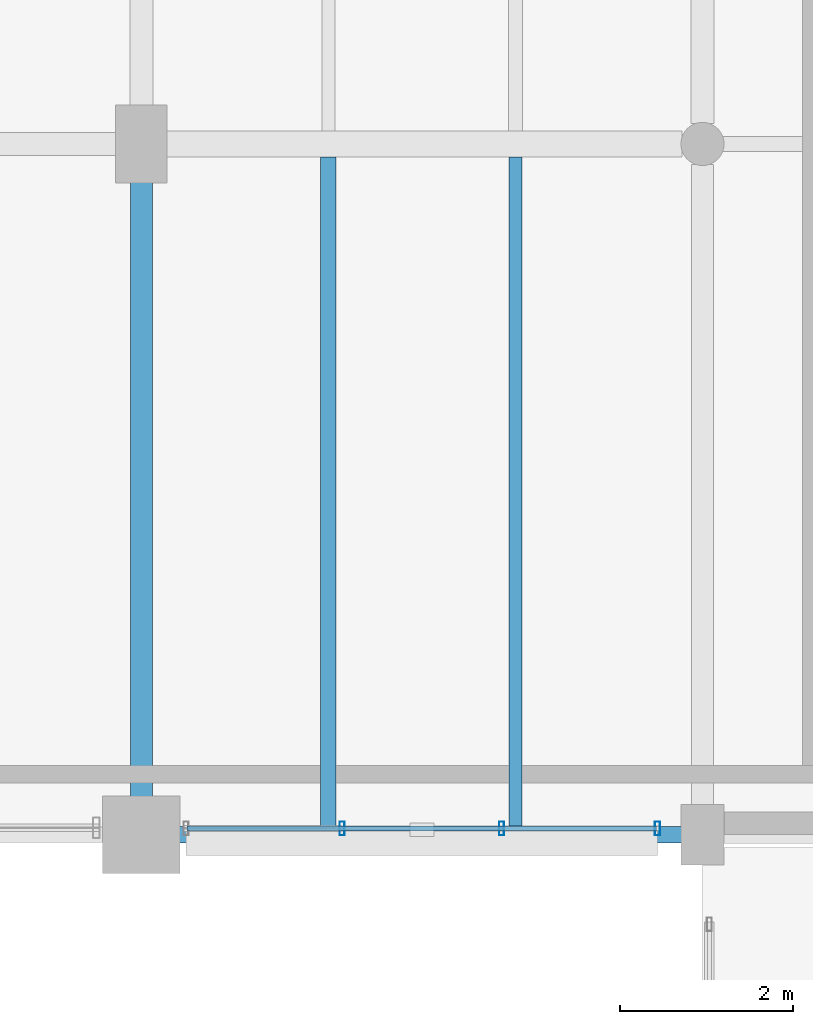
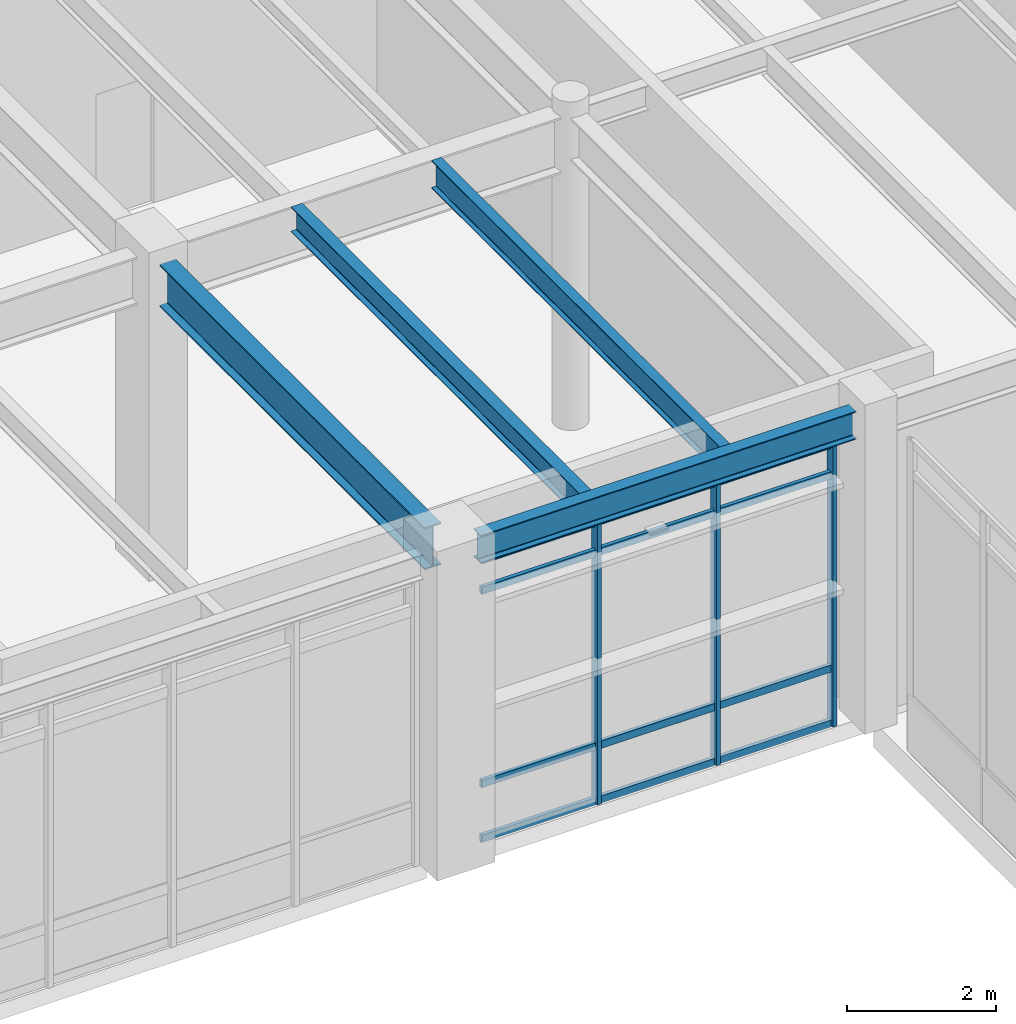
# One storey, part 67 of 203: 7 members, 4 beams, 1 element without a shape of its own.
"""IFC4 building model written with IfcOpenShell, lengths in metres."""

import ifcopenshell
import ifcopenshell.guid

model = None  # the IFC model being written
_history = None  # IfcOwnerHistory: only IFC2X3 demands one
_inside = {}  # id of a spatial element -> (the spatial element, [elements in it])
_under = {}  # id of a project, library or spatial element -> (it, [spatial elements below it])
_declared = {}  # id of a project -> (the project, [libraries it declares])
_typed = {}  # id of a type object -> (the type object, [elements of that type])
_made_of = {}  # id of a material, layer set ... -> (it, [elements and type objects made of it])


def new_model(schema):
    """Start an empty IFC model of exactly this schema.

    Asked for "IFC4X3", IfcOpenShell would pick the latest addendum, in which some entities
    have other attributes; the version numbers below select the first issue.
    IFC2X3 requires an IfcOwnerHistory on every rooted entity: one is made here for all.
    """
    global model, _history
    if schema == "IFC4X3":
        model = ifcopenshell.file(schema_version=(4, 3, 0, 0))
    else:
        model = ifcopenshell.file(schema=schema)
    _inside.clear()
    _under.clear()
    _declared.clear()
    _typed.clear()
    _made_of.clear()
    _history = None
    if model.schema == "IFC2X3":
        org = make("IfcOrganization", Name="unknown")
        user = make(
            "IfcPersonAndOrganization",
            ThePerson=make("IfcPerson", FamilyName="unknown"),
            TheOrganization=org,
        )
        app = make(
            "IfcApplication",
            ApplicationDeveloper=org,
            Version="unknown",
            ApplicationFullName="unknown",
            ApplicationIdentifier="unknown",
        )
        _history = make(
            "IfcOwnerHistory",
            OwningUser=user,
            OwningApplication=app,
            ChangeAction="ADDED",
            CreationDate=0,
        )
    return model


def make(cls, **values):
    """One entity of the class cls with the attributes given. An attribute that is None is left unset."""
    return model.create_entity(
        cls, **{name: value for name, value in values.items() if value is not None}
    )


def rooted(cls, **values):
    """An entity with a GlobalId (a new one), such as an element, a storey or a relation."""
    return make(cls, GlobalId=ifcopenshell.guid.new(), OwnerHistory=_history, **values)


def si_unit(unit_type, name, prefix=None):
    """IfcSIUnit, for example si_unit("LENGTHUNIT", "METRE", prefix="MILLI")."""
    return make("IfcSIUnit", UnitType=unit_type, Prefix=prefix, Name=name)


def assignment(units):
    """IfcUnitAssignment: the units of a project."""
    return None if units is None else make("IfcUnitAssignment", Units=units)


def point(xyz):
    """IfcCartesianPoint."""
    return None if xyz is None else make("IfcCartesianPoint", Coordinates=xyz)


def direction(xyz):
    """IfcDirection."""
    return None if xyz is None else make("IfcDirection", DirectionRatios=xyz)


def frame(location, z_axis=None, x_axis=None):
    """IfcAxis2Placement3D, a coordinate frame: its origin and axes. An axis left out is left unset."""
    return make(
        "IfcAxis2Placement3D",
        Location=point(location),
        Axis=direction(z_axis),
        RefDirection=direction(x_axis),
    )


def frame_2d(location, x_axis=None):
    """IfcAxis2Placement2D, a coordinate frame in the plane: its origin and x axis."""
    return make(
        "IfcAxis2Placement2D", Location=point(location), RefDirection=direction(x_axis)
    )


def origin():
    """The frame at (0, 0, 0) with its axes left unset."""
    return frame((0.0, 0.0, 0.0))


def origin_2d():
    """The frame at (0, 0) in the plane with its x axis left unset."""
    return frame_2d((0.0, 0.0))


def place(relative_to, where):
    """IfcLocalPlacement: puts the frame where relative to a parent placement (None: the world)."""
    return make(
        "IfcLocalPlacement", PlacementRelTo=relative_to, RelativePlacement=where
    )


def context(
    kind, dimensions, precision=None, world=None, true_north=None, identifier=None
):
    """IfcGeometricRepresentationContext, for example the 3D "Model" context."""
    return make(
        "IfcGeometricRepresentationContext",
        ContextIdentifier=identifier,
        ContextType=kind,
        CoordinateSpaceDimension=dimensions,
        Precision=precision,
        WorldCoordinateSystem=world,
        TrueNorth=true_north,
    )


def subcontext(parent, identifier, kind, view, scale=None):
    """IfcGeometricRepresentationSubContext, for example "Body" below "Model"."""
    return make(
        "IfcGeometricRepresentationSubContext",
        ContextIdentifier=identifier,
        ContextType=kind,
        ParentContext=parent,
        TargetScale=scale,
        TargetView=view,
    )


def project(units=None, contexts=None):
    """IfcProject with its units and contexts."""
    return rooted(
        "IfcProject",
        Name="project",
        RepresentationContexts=contexts,
        UnitsInContext=assignment(units),
    )


def spatial(cls, under=None, at=None, **own):
    """A site, building, storey or space (cls), placed at a placement, below another one or the project."""
    s = rooted(cls, ObjectPlacement=at, **own)
    if under is not None:
        _under.setdefault(under.id(), (under, []))[1].append(s)
    return s


def profile(cls, at=None, kind="AREA", **sizes):
    """A parametric profile (cls). Its sizes go by their IFC names, for example OverallWidth=200.0."""
    return make(cls, ProfileType=kind, Position=at, **sizes)


def hollow_rectangle(**sizes):
    """IfcRectangleHollowProfileDef."""
    return profile("IfcRectangleHollowProfileDef", **sizes)


def i_section(**sizes):
    """IfcIShapeProfileDef."""
    return profile("IfcIShapeProfileDef", **sizes)


def extrude(swept, where, along, depth):
    """IfcExtrudedAreaSolid: the profile swept, set in the frame where, extruded along a direction by depth."""
    return make(
        "IfcExtrudedAreaSolid",
        SweptArea=swept,
        Position=where,
        ExtrudedDirection=direction(along),
        Depth=depth,
    )


def shape(context_of_items, identifier, shape_type, items):
    """IfcShapeRepresentation: the items that make up one representation, for example the "Body"."""
    return make(
        "IfcShapeRepresentation",
        ContextOfItems=context_of_items,
        RepresentationIdentifier=identifier,
        RepresentationType=shape_type,
        Items=items,
    )


def material(Name=None, Category=None):
    """IfcMaterial."""
    return make("IfcMaterial", Name=Name, Category=Category)


def material_profile(
    of_material, cross_section, Name=None, Category=None, Priority=None
):
    """IfcMaterialProfile: a cross section and its material."""
    return make(
        "IfcMaterialProfile",
        Name=Name,
        Material=of_material,
        Profile=cross_section,
        Priority=Priority,
        Category=Category,
    )


def profile_set(profiles, Name=None, composite=None):
    """IfcMaterialProfileSet."""
    return make(
        "IfcMaterialProfileSet",
        Name=Name,
        MaterialProfiles=profiles,
        CompositeProfile=composite,
    )


def made_of(thing, what):
    """Note that an element or type object is made of a material, layer set ...; save() writes the relation."""
    if what is not None:
        _made_of.setdefault(what.id(), (what, []))[1].append(thing)
    return thing


def type_object(cls, material=None, **own):
    """A type object (cls), such as IfcWallType, which elements share."""
    return made_of(rooted(cls, **own), material)


def element(
    cls,
    number,
    at=None,
    inside=None,
    cuts=None,
    type_object=None,
    material=None,
    context=None,
    identifier="Body",
    shape_type=None,
    held_by="IfcProductDefinitionShape",
    body=None,
    shapes=None,
    **own,
):
    """One element of the class cls, such as IfcWall. Its Tag is "e" and its number.

    at: its placement. inside: the storey or other place that contains it. cuts: it is an
    opening in that element (IfcRelVoidsElement). A single representation is given by context,
    identifier, shape_type and body (its items); several are given by shapes. held_by: the class
    of the entity that holds the representations. save() writes the other relations.
    """
    e = rooted(cls, Tag="e%d" % number, ObjectPlacement=at, **own)
    if body is not None:
        shapes = [shape(context, identifier, shape_type, body)]
    if shapes is not None:
        e.Representation = make(held_by, Representations=shapes)
    if inside is not None:
        _inside.setdefault(inside.id(), (inside, []))[1].append(e)
    if cuts is not None:
        rooted(
            "IfcRelVoidsElement", RelatingBuildingElement=cuts, RelatedOpeningElement=e
        )
    if type_object is not None:
        _typed.setdefault(type_object.id(), (type_object, []))[1].append(e)
    return made_of(e, material)


def aggregate(whole, parts):
    """IfcRelAggregates: a whole, such as a stair, and the parts it consists of."""
    return rooted("IfcRelAggregates", RelatingObject=whole, RelatedObjects=parts)


def save(model, path):
    """Write the relations noted so far, then the file.

    IfcRelAggregates (storeys below a building ...), IfcRelContainedInSpatialStructure (elements
    in a storey), IfcRelDefinesByType, IfcRelAssociatesMaterial and IfcRelDeclares: one each for
    every whole, place, type object, material and project.
    """
    for whole, parts in _under.values():
        aggregate(whole, parts)
    for where, things in _inside.values():
        rooted(
            "IfcRelContainedInSpatialStructure",
            RelatedElements=things,
            RelatingStructure=where,
        )
    for kind, things in _typed.values():
        rooted("IfcRelDefinesByType", RelatedObjects=things, RelatingType=kind)
    for what, things in _made_of.values():
        rooted("IfcRelAssociatesMaterial", RelatedObjects=things, RelatingMaterial=what)
    for by, libraries in _declared.values():
        rooted("IfcRelDeclares", RelatingContext=by, RelatedDefinitions=libraries)
    model.write(path)


model = new_model("IFC4")

# Units and contexts
model_context = context("Model", 3, precision=1e-05, world=origin(), true_north=direction((0.0, 1.0)))
body_context = subcontext(model_context, "Body", "Model", "MODEL_VIEW")
ifc_project = project(units=[si_unit("LENGTHUNIT", "METRE"), si_unit("AREAUNIT", "SQUARE_METRE"), si_unit("VOLUMEUNIT", "CUBIC_METRE"), si_unit("PLANEANGLEUNIT", "RADIAN"), si_unit("MASSUNIT", "GRAM", prefix="KILO"), si_unit("THERMODYNAMICTEMPERATUREUNIT", "KELVIN"), si_unit("POWERUNIT", "WATT")], contexts=[model_context])

# Site, building, storey
site_placement = place(None, origin())
site = spatial("IfcSite", under=ifc_project, at=site_placement, CompositionType="ELEMENT")
building_placement = place(site_placement, origin())
building = spatial("IfcBuilding", under=site, at=building_placement, Name="Tepalcoro Natatorium and Aquatics Centre", CompositionType="ELEMENT")
storey_placement = place(building_placement, origin())
storey = spatial("IfcBuildingStorey", under=building, at=storey_placement, Name="L00", CompositionType="ELEMENT", Elevation=0.0)

# Beam
ifc_material_1 = material(Name="Steel ASTM A992 Grade 50 (Fy 345 MPa)", Category="steel")
ifc_material_profile_1 = material_profile(ifc_material_1, i_section(OverallWidth=0.25390625, OverallDepth=0.68798828125, WebThickness=0.012939453125, FlangeThickness=0.02099609375, FilletRadius=0.013916015625, at=origin_2d()), Name="W27X102")
ifc_profile_set_1 = profile_set([ifc_material_profile_1], Name="Steel ASTM A992 Grade 50 (Fy 345 MPa)")
beam_type_1 = type_object("IfcBeamType", Name="BM_W27x102", PredefinedType="BEAM", material=ifc_profile_set_1)
beam_1_placement = place(storey_placement, frame((46.5, 86.43505859375, 4.801025390625), z_axis=(0.0, 1.0, 0.0), x_axis=(-1.0, 0.0, 0.0)))
element("IfcBeam", 1, at=beam_1_placement, inside=storey, type_object=beam_type_1, Name="V4 L00 Grid Girder Y", PredefinedType="BEAM", context=body_context, shape_type="SweptSolid", body=[
    extrude(i_section(OverallWidth=0.25390625, OverallDepth=0.68798828125, WebThickness=0.012939453125, FlangeThickness=0.02099609375, FilletRadius=0.013916015625, at=origin_2d()), origin(), (0.0, 0.0, 1.0), 7.1298828125),
])

# Curtain wall, members
ifc_material_2 = material(Name="Bronze-Anodised Extruded Aluminium Alloy EN AW-6063 T6", Category="aluminium")
curtain_wall_type = type_object("IfcCurtainWallType", Name="CW_V5_UPPER", PredefinedType="USERDEFINED", material=ifc_material_2)
curtain_wall_placement = place(storey_placement, origin())
curtain_wall = element("IfcCurtainWall", 2, at=curtain_wall_placement, inside=storey, type_object=curtain_wall_type, Name="V4 L00 S Unitised Curtain Wall Bay 5", ObjectType="FACETED SOLAR GLAZING", PredefinedType="USERDEFINED")
ifc_material_profile_2 = material_profile(ifc_material_2, hollow_rectangle(XDim=0.06005859375, YDim=0.159912109375, WallThickness=0.00390625, at=origin_2d()), Name="AL60X160X4")
ifc_profile_set_2 = profile_set([ifc_material_profile_2], Name="Bronze-Anodised Extruded Aluminium Alloy EN AW-6063 T6")
member_type_1 = type_object("IfcMemberType", Name="CW_MUL_60x160", PredefinedType="MULLION", material=ifc_profile_set_2)
member_1_placement = place(storey_placement, frame((48.82666015625, 86.0712890625, 0.02001953125), z_axis=(0.0, 0.0, 1.0), x_axis=(1.0, 0.0, 0.0)))
member_1 = element("IfcMember", 3, at=member_1_placement, type_object=member_type_1, Name="CW_V5_UPPER Curtain Wall Mullion", PredefinedType="MULLION", context=body_context, shape_type="SweptSolid", body=[
    extrude(hollow_rectangle(XDim=0.06005859375, YDim=0.159912109375, WallThickness=0.00390625, at=origin_2d()), origin(), (0.0, 0.0, 1.0), 4.6298828125),
])
member_2_placement = place(storey_placement, frame((50.67333984375, 86.0712890625, 0.02001953125), z_axis=(0.0, 0.0, 1.0), x_axis=(1.0, 0.0, 0.0)))
member_2 = element("IfcMember", 4, at=member_2_placement, type_object=member_type_1, Name="CW_V5_UPPER Curtain Wall Mullion", PredefinedType="MULLION", context=body_context, shape_type="SweptSolid", body=[
    extrude(hollow_rectangle(XDim=0.06005859375, YDim=0.159912109375, WallThickness=0.00390625, at=origin_2d()), origin(), (0.0, 0.0, 1.0), 4.6298828125),
])
member_3_placement = place(storey_placement, frame((52.47998046875, 86.0712890625, 0.02001953125), z_axis=(0.0, 0.0, 1.0), x_axis=(1.0, 0.0, 0.0)))
member_3 = element("IfcMember", 5, at=member_3_placement, type_object=member_type_1, Name="CW_V5_UPPER Curtain Wall Mullion", PredefinedType="MULLION", context=body_context, shape_type="SweptSolid", body=[
    extrude(hollow_rectangle(XDim=0.06005859375, YDim=0.159912109375, WallThickness=0.00390625, at=origin_2d()), origin(), (0.0, 0.0, 1.0), 4.6298828125),
])
ifc_material_profile_3 = material_profile(ifc_material_2, hollow_rectangle(XDim=0.06005859375, YDim=0.1201171875, WallThickness=0.00390625, at=origin_2d()), Name="AL60X120X4")
ifc_profile_set_3 = profile_set([ifc_material_profile_3], Name="Bronze-Anodised Extruded Aluminium Alloy EN AW-6063 T6")
member_type_2 = type_object("IfcMemberType", Name="CW_TRN_60x120", PredefinedType="USERDEFINED", material=ifc_profile_set_3)
member_4_placement = place(storey_placement, frame((47.030029296875, 86.0712890625, 0.050048828125), z_axis=(1.0, 0.0, 0.0), x_axis=(0.0, 1.0, 0.0)))
member_4 = element("IfcMember", 6, at=member_4_placement, type_object=member_type_2, Name="CW_V5_UPPER Curtain Wall Transom", ObjectType="TRANSOM", PredefinedType="USERDEFINED", context=body_context, shape_type="SweptSolid", body=[
    extrude(hollow_rectangle(XDim=0.06005859375, YDim=0.1201171875, WallThickness=0.00390625, at=origin_2d()), origin(), (0.0, 0.0, 1.0), 5.43994140625),
])
member_5_placement = place(storey_placement, frame((47.030029296875, 86.0712890625, 0.949951171875), z_axis=(1.0, 0.0, 0.0), x_axis=(0.0, 1.0, 0.0)))
member_5 = element("IfcMember", 7, at=member_5_placement, type_object=member_type_2, Name="CW_V5_UPPER Curtain Wall Transom", ObjectType="TRANSOM", PredefinedType="USERDEFINED", context=body_context, shape_type="SweptSolid", body=[
    extrude(hollow_rectangle(XDim=0.06005859375, YDim=0.1201171875, WallThickness=0.00390625, at=origin_2d()), origin(), (0.0, 0.0, 1.0), 5.43994140625),
])
member_6_placement = place(storey_placement, frame((47.030029296875, 86.0712890625, 4.1201171875), z_axis=(1.0, 0.0, 0.0), x_axis=(0.0, 1.0, 0.0)))
member_6 = element("IfcMember", 8, at=member_6_placement, type_object=member_type_2, Name="CW_V5_UPPER Curtain Wall Transom", ObjectType="TRANSOM", PredefinedType="USERDEFINED", context=body_context, shape_type="SweptSolid", body=[
    extrude(hollow_rectangle(XDim=0.06005859375, YDim=0.1201171875, WallThickness=0.00390625, at=origin_2d()), origin(), (0.0, 0.0, 1.0), 5.43994140625),
])
member_7_placement = place(storey_placement, frame((47.030029296875, 86.0712890625, 4.6201171875), z_axis=(1.0, 0.0, 0.0), x_axis=(0.0, 1.0, 0.0)))
member_7 = element("IfcMember", 9, at=member_7_placement, type_object=member_type_2, Name="CW_V5_UPPER Curtain Wall Transom", ObjectType="TRANSOM", PredefinedType="USERDEFINED", context=body_context, shape_type="SweptSolid", body=[
    extrude(hollow_rectangle(XDim=0.06005859375, YDim=0.1201171875, WallThickness=0.00390625, at=origin_2d()), origin(), (0.0, 0.0, 1.0), 5.43994140625),
])
aggregate(curtain_wall, [member_1, member_2, member_3, member_4, member_5, member_6, member_7])

# Beams
ifc_material_profile_4 = material_profile(ifc_material_1, i_section(OverallWidth=0.178955078125, OverallDepth=0.409912109375, WebThickness=0.009033203125, FlangeThickness=0.013916015625, FilletRadius=0.013916015625, at=origin_2d()), Name="W16X45")
ifc_profile_set_4 = profile_set([ifc_material_profile_4], Name="Steel ASTM A992 Grade 50 (Fy 345 MPa)")
beam_type_2 = type_object("IfcBeamType", Name="JS_W16x45", PredefinedType="JOIST", material=ifc_profile_set_4)
beam_2_placement = place(storey_placement, frame((48.666748046875, 86.095458984375, 4.93994140625), z_axis=(0.0, 1.0, 0.0), x_axis=(-1.0, 0.0, 0.0)))
element("IfcBeam", 10, at=beam_2_placement, inside=storey, type_object=beam_type_2, Name="V4 L00 Floor Joist", PredefinedType="JOIST", context=body_context, shape_type="SweptSolid", body=[
    extrude(i_section(OverallWidth=0.178955078125, OverallDepth=0.409912109375, WebThickness=0.009033203125, FlangeThickness=0.013916015625, FilletRadius=0.013916015625, at=origin_2d()), origin(), (0.0, 0.0, 1.0), 7.751953125),
])
ifc_material_profile_5 = material_profile(ifc_material_1, i_section(OverallWidth=0.153076171875, OverallDepth=0.455078125, WebThickness=0.008056640625, FlangeThickness=0.012939453125, FilletRadius=0.013916015625, at=origin_2d()), Name="W18X40")
ifc_profile_set_5 = profile_set([ifc_material_profile_5], Name="Steel ASTM A992 Grade 50 (Fy 345 MPa)")
beam_type_3 = type_object("IfcBeamType", Name="JS_W18x40", PredefinedType="JOIST", material=ifc_profile_set_5)
beam_3_placement = place(storey_placement, frame((50.833251953125, 86.095458984375, 4.91748046875), z_axis=(0.0, 1.0, 0.0), x_axis=(-1.0, 0.0, 0.0)))
element("IfcBeam", 11, at=beam_3_placement, inside=storey, type_object=beam_type_3, Name="V4 L00 Floor Joist", PredefinedType="JOIST", context=body_context, shape_type="SweptSolid", body=[
    extrude(i_section(OverallWidth=0.153076171875, OverallDepth=0.455078125, WebThickness=0.008056640625, FlangeThickness=0.012939453125, FilletRadius=0.013916015625, at=origin_2d()), origin(), (0.0, 0.0, 1.0), 7.751953125),
])
ifc_material_profile_6 = material_profile(ifc_material_1, i_section(OverallWidth=0.19091796875, OverallDepth=0.4599609375, WebThickness=0.010009765625, FlangeThickness=0.01611328125, FilletRadius=0.013916015625, at=origin_2d()), Name="W18X55")
ifc_profile_set_6 = profile_set([ifc_material_profile_6], Name="Steel ASTM A992 Grade 50 (Fy 345 MPa)")
beam_type_4 = type_object("IfcBeamType", Name="SP_W18x55", PredefinedType="SPANDREL", material=ifc_profile_set_6)
beam_4_placement = place(storey_placement, frame((46.93505859375, 86.0, 4.9150390625), z_axis=(1.0, 0.0, 0.0), x_axis=(0.0, 1.0, 0.0)))
element("IfcBeam", 12, at=beam_4_placement, inside=storey, type_object=beam_type_4, Name="V4 L00 Grid Girder X", PredefinedType="SPANDREL", context=body_context, shape_type="SweptSolid", body=[
    extrude(i_section(OverallWidth=0.19091796875, OverallDepth=0.4599609375, WebThickness=0.010009765625, FlangeThickness=0.01611328125, FilletRadius=0.013916015625, at=origin_2d()), origin(), (0.0, 0.0, 1.0), 5.829833984375),
])

save(model, "model.ifc")
